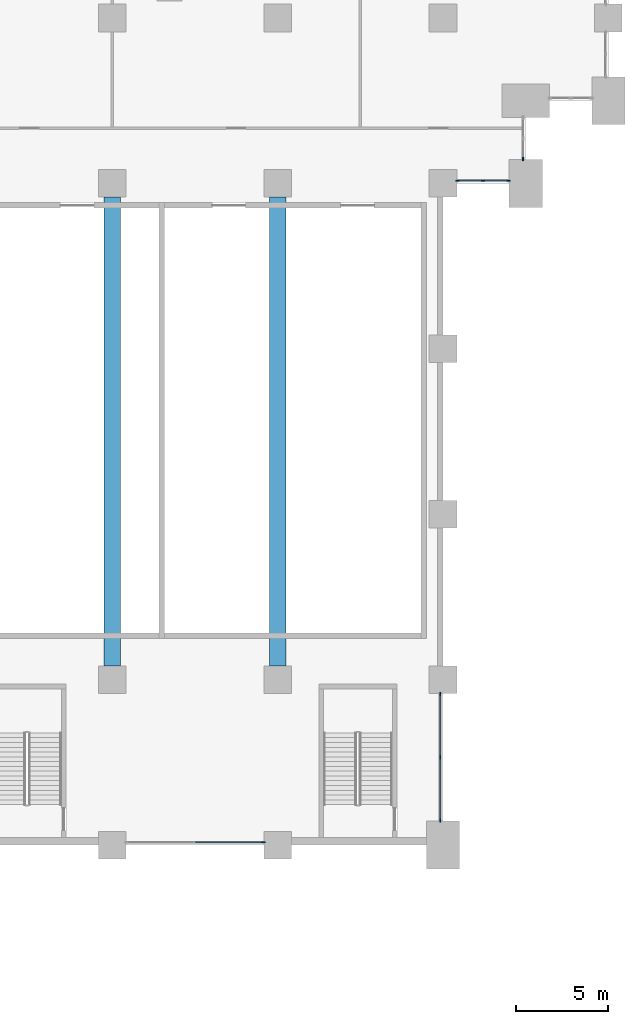
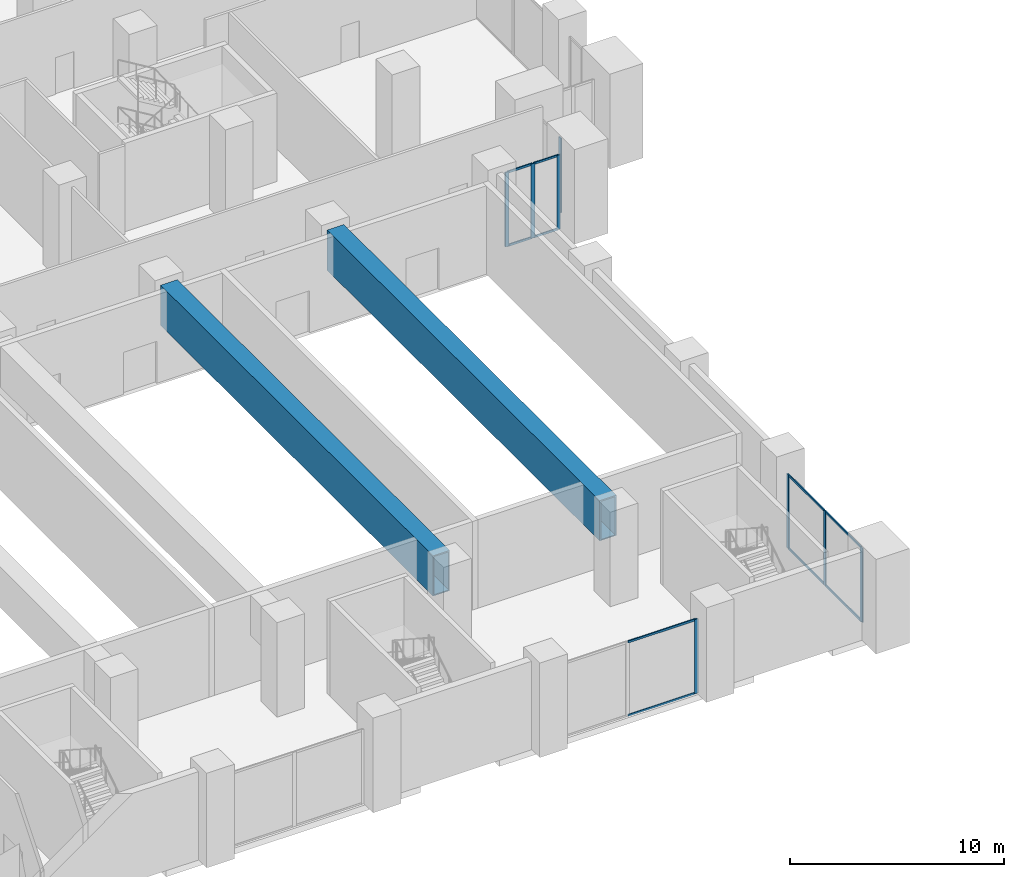
# One storey, part 6 of 43: 18 members, 2 beams, 4 elements without a shape of their own.
"""IFC4 building model written with IfcOpenShell, lengths in metres."""

from ifc_helpers import new_model, si_unit, direction, frame, origin, origin_2d, place, context, subcontext, project, spatial, rectangle, hollow_rectangle, extrude, material, material_profile, profile_set, type_object, element, aggregate, save


model = new_model("IFC4")

# Units and contexts
model_context = context("Model", 3, precision=1e-05, world=origin(), true_north=direction((0.0, 1.0)))
body_context = subcontext(model_context, "Body", "Model", "MODEL_VIEW")
ifc_project = project(units=[si_unit("LENGTHUNIT", "METRE"), si_unit("AREAUNIT", "SQUARE_METRE"), si_unit("VOLUMEUNIT", "CUBIC_METRE"), si_unit("PLANEANGLEUNIT", "RADIAN"), si_unit("MASSUNIT", "GRAM", prefix="KILO")], contexts=[model_context])

# Site, building, storey
site_placement = place(None, origin())
site = spatial("IfcSite", under=ifc_project, at=site_placement, CompositionType="ELEMENT")
building_placement = place(site_placement, origin())
building = spatial("IfcBuilding", under=site, at=building_placement, Name="Hunhe Ridgeline Campus", CompositionType="ELEMENT")
storey_placement = place(building_placement, frame((0.0, 0.0, 11.39990234375)))
storey = spatial("IfcBuildingStorey", under=building, at=storey_placement, Name="L02", CompositionType="ELEMENT", Elevation=11.39990234375)

# Curtain wall, members
ifc_material_1 = material(Name="Aluminium and glass", Category="aluminium")
curtain_wall_type = type_object("IfcCurtainWallType", Name="Podium curtain wall CW-2", PredefinedType="NOTDEFINED", material=ifc_material_1)
curtain_wall_1_placement = place(storey_placement, origin())
curtain_wall_1 = element("IfcCurtainWall", 1, at=curtain_wall_1_placement, inside=storey, type_object=curtain_wall_type, Name="L02 podium curtain wall 1", PredefinedType="NOTDEFINED")
ifc_material_2 = material(Name="Aluminium", Category="aluminium")
ifc_material_profile_1 = material_profile(ifc_material_2, rectangle(XDim=0.06005859375, YDim=0.199951171875, at=origin_2d()))
ifc_profile_set_1 = profile_set([ifc_material_profile_1], Name="Aluminium")
member_type_1 = type_object("IfcMemberType", Name="CW-2 mullion 60x200", PredefinedType="MULLION", material=ifc_profile_set_1)
member_1_placement = place(storey_placement, frame((90.780029296875, 54.14990234375, 0.0), z_axis=(0.0, 0.0, 1.0), x_axis=(0.0, 1.0, 0.0)))
member_1 = element("IfcMember", 2, at=member_1_placement, type_object=member_type_1, Name="CW2 mullion 1", PredefinedType="MULLION", context=body_context, shape_type="SweptSolid", body=[
    extrude(rectangle(XDim=0.06005859375, YDim=0.199951171875, at=origin_2d()), origin(), (0.0, 0.0, 1.0), 4.25),
])
member_2_placement = place(storey_placement, frame((92.175048828125, 54.14990234375, 0.0), z_axis=(0.0, 0.0, 1.0), x_axis=(0.0, 1.0, 0.0)))
member_2 = element("IfcMember", 3, at=member_2_placement, type_object=member_type_1, Name="CW2 mullion 2", PredefinedType="MULLION", context=body_context, shape_type="SweptSolid", body=[
    extrude(rectangle(XDim=0.06005859375, YDim=0.199951171875, at=origin_2d()), origin(), (0.0, 0.0, 1.0), 4.25),
])
member_3_placement = place(storey_placement, frame((93.570068359375, 54.14990234375, 0.0), z_axis=(0.0, 0.0, 1.0), x_axis=(0.0, 1.0, 0.0)))
member_3 = element("IfcMember", 4, at=member_3_placement, type_object=member_type_1, Name="CW2 mullion 3", PredefinedType="MULLION", context=body_context, shape_type="SweptSolid", body=[
    extrude(rectangle(XDim=0.06005859375, YDim=0.199951171875, at=origin_2d()), origin(), (0.0, 0.0, 1.0), 4.25),
])

# Curtain wall, member
curtain_wall_2_placement = place(storey_placement, origin())
curtain_wall_2 = element("IfcCurtainWall", 5, at=curtain_wall_2_placement, inside=storey, type_object=curtain_wall_type, Name="L02 podium curtain wall 2", PredefinedType="NOTDEFINED")
member_4_placement = place(storey_placement, frame((94.35009765625, 55.330078125, 0.0), z_axis=(0.0, 0.0, 1.0), x_axis=(-1.0, 0.0, 0.0)))
member_4 = element("IfcMember", 6, at=member_4_placement, type_object=member_type_1, Name="CW2 mullion 1", PredefinedType="MULLION", context=body_context, shape_type="SweptSolid", body=[
    extrude(rectangle(XDim=0.06005859375, YDim=0.199951171875, at=origin_2d()), origin(), (0.0, 0.0, 1.0), 4.25),
])
aggregate(curtain_wall_2, [member_4])

curtain_wall_3_placement = place(storey_placement, origin())
curtain_wall_3 = element("IfcCurtainWall", 7, at=curtain_wall_3_placement, inside=storey, type_object=curtain_wall_type, Name="L02 podium curtain wall 19", PredefinedType="NOTDEFINED")
member_5_placement = place(storey_placement, frame((80.219970703125, 18.14990234375, 0.0), z_axis=(0.0, 0.0, 1.0), x_axis=(0.0, 1.0, 0.0)))
member_5 = element("IfcMember", 8, at=member_5_placement, type_object=member_type_1, Name="CW2 mullion 3", PredefinedType="MULLION", context=body_context, shape_type="SweptSolid", body=[
    extrude(rectangle(XDim=0.06005859375, YDim=0.199951171875, at=origin_2d()), origin(), (0.0, 0.0, 1.0), 4.25),
])

# Curtain wall, members
curtain_wall_4_placement = place(storey_placement, origin())
curtain_wall_4 = element("IfcCurtainWall", 9, at=curtain_wall_4_placement, inside=storey, type_object=curtain_wall_type, Name="L02 podium curtain wall 21", PredefinedType="NOTDEFINED")
member_6_placement = place(storey_placement, frame((89.85009765625, 19.330078125, 0.0), z_axis=(0.0, 0.0, 1.0), x_axis=(-1.0, 0.0, 0.0)))
member_6 = element("IfcMember", 10, at=member_6_placement, type_object=member_type_1, Name="CW2 mullion 1", PredefinedType="MULLION", context=body_context, shape_type="SweptSolid", body=[
    extrude(rectangle(XDim=0.06005859375, YDim=0.199951171875, at=origin_2d()), origin(), (0.0, 0.0, 1.0), 4.25),
])
member_7_placement = place(storey_placement, frame((89.85009765625, 22.77490234375, 0.0), z_axis=(0.0, 0.0, 1.0), x_axis=(-1.0, 0.0, 0.0)))
member_7 = element("IfcMember", 11, at=member_7_placement, type_object=member_type_1, Name="CW2 mullion 2", PredefinedType="MULLION", context=body_context, shape_type="SweptSolid", body=[
    extrude(rectangle(XDim=0.06005859375, YDim=0.199951171875, at=origin_2d()), origin(), (0.0, 0.0, 1.0), 4.25),
])
member_8_placement = place(storey_placement, frame((89.85009765625, 26.219970703125, 0.0), z_axis=(0.0, 0.0, 1.0), x_axis=(-1.0, 0.0, 0.0)))
member_8 = element("IfcMember", 12, at=member_8_placement, type_object=member_type_1, Name="CW2 mullion 3", PredefinedType="MULLION", context=body_context, shape_type="SweptSolid", body=[
    extrude(rectangle(XDim=0.06005859375, YDim=0.199951171875, at=origin_2d()), origin(), (0.0, 0.0, 1.0), 4.25),
])

# Member
ifc_material_profile_2 = material_profile(ifc_material_2, rectangle(XDim=0.06005859375, YDim=0.1201171875, at=origin_2d()))
ifc_profile_set_2 = profile_set([ifc_material_profile_2], Name="Aluminium")
member_type_2 = type_object("IfcMemberType", Name="CW-2 transom 60x120", PredefinedType="USERDEFINED", material=ifc_profile_set_2)
member_9_placement = place(storey_placement, frame((90.81005859375, 54.14990234375, 0.030029296875), z_axis=(1.0, 0.0, 0.0), x_axis=(0.0, 1.0, 0.0)))
member_9 = element("IfcMember", 13, at=member_9_placement, type_object=member_type_2, Name="CW2 transom 1.1", ObjectType="TRANSOM", PredefinedType="USERDEFINED", context=body_context, shape_type="SweptSolid", body=[
    extrude(rectangle(XDim=0.06005859375, YDim=0.1201171875, at=origin_2d()), origin(), (0.0, 0.0, 1.0), 1.3349609375),
])

member_10_placement = place(storey_placement, frame((90.81005859375, 54.14990234375, 4.22021484375), z_axis=(1.0, 0.0, 0.0), x_axis=(0.0, 1.0, 0.0)))
member_10 = element("IfcMember", 14, at=member_10_placement, type_object=member_type_2, Name="CW2 transom 1.2", ObjectType="TRANSOM", PredefinedType="USERDEFINED", context=body_context, shape_type="SweptSolid", body=[
    extrude(rectangle(XDim=0.06005859375, YDim=0.1201171875, at=origin_2d()), origin(), (0.0, 0.0, 1.0), 1.3349609375),
])

member_11_placement = place(storey_placement, frame((92.205078125, 54.14990234375, 0.030029296875), z_axis=(1.0, 0.0, 0.0), x_axis=(0.0, 1.0, 0.0)))
member_11 = element("IfcMember", 15, at=member_11_placement, type_object=member_type_2, Name="CW2 transom 2.1", ObjectType="TRANSOM", PredefinedType="USERDEFINED", context=body_context, shape_type="SweptSolid", body=[
    extrude(rectangle(XDim=0.06005859375, YDim=0.1201171875, at=origin_2d()), origin(), (0.0, 0.0, 1.0), 1.3349609375),
])

member_12_placement = place(storey_placement, frame((92.205078125, 54.14990234375, 4.22021484375), z_axis=(1.0, 0.0, 0.0), x_axis=(0.0, 1.0, 0.0)))
member_12 = element("IfcMember", 16, at=member_12_placement, type_object=member_type_2, Name="CW2 transom 2.2", ObjectType="TRANSOM", PredefinedType="USERDEFINED", context=body_context, shape_type="SweptSolid", body=[
    extrude(rectangle(XDim=0.06005859375, YDim=0.1201171875, at=origin_2d()), origin(), (0.0, 0.0, 1.0), 1.3349609375),
])

aggregate(curtain_wall_1, [member_1, member_2, member_3, member_9, member_10, member_11, member_12])

member_13_placement = place(storey_placement, frame((76.530029296875, 18.14990234375, 0.030029296875), z_axis=(1.0, 0.0, 0.0), x_axis=(0.0, 1.0, 0.0)))
member_13 = element("IfcMember", 17, at=member_13_placement, type_object=member_type_2, Name="CW2 transom 2.1", ObjectType="TRANSOM", PredefinedType="USERDEFINED", context=body_context, shape_type="SweptSolid", body=[
    extrude(rectangle(XDim=0.06005859375, YDim=0.1201171875, at=origin_2d()), origin(), (0.0, 0.0, 1.0), 3.659912109375),
])

member_14_placement = place(storey_placement, frame((76.530029296875, 18.14990234375, 4.22021484375), z_axis=(1.0, 0.0, 0.0), x_axis=(0.0, 1.0, 0.0)))
member_14 = element("IfcMember", 18, at=member_14_placement, type_object=member_type_2, Name="CW2 transom 2.2", ObjectType="TRANSOM", PredefinedType="USERDEFINED", context=body_context, shape_type="SweptSolid", body=[
    extrude(rectangle(XDim=0.06005859375, YDim=0.1201171875, at=origin_2d()), origin(), (0.0, 0.0, 1.0), 3.659912109375),
])

aggregate(curtain_wall_3, [member_5, member_13, member_14])

member_15_placement = place(storey_placement, frame((89.85009765625, 19.360107421875, 0.030029296875), z_axis=(0.0, 1.0, 0.0), x_axis=(-1.0, 0.0, 0.0)))
member_15 = element("IfcMember", 19, at=member_15_placement, type_object=member_type_2, Name="CW2 transom 1.1", ObjectType="TRANSOM", PredefinedType="USERDEFINED", context=body_context, shape_type="SweptSolid", body=[
    extrude(rectangle(XDim=0.06005859375, YDim=0.1201171875, at=origin_2d()), origin(), (0.0, 0.0, 1.0), 3.385009765625),
])

member_16_placement = place(storey_placement, frame((89.85009765625, 19.360107421875, 4.22021484375), z_axis=(0.0, 1.0, 0.0), x_axis=(-1.0, 0.0, 0.0)))
member_16 = element("IfcMember", 20, at=member_16_placement, type_object=member_type_2, Name="CW2 transom 1.2", ObjectType="TRANSOM", PredefinedType="USERDEFINED", context=body_context, shape_type="SweptSolid", body=[
    extrude(rectangle(XDim=0.06005859375, YDim=0.1201171875, at=origin_2d()), origin(), (0.0, 0.0, 1.0), 3.385009765625),
])

member_17_placement = place(storey_placement, frame((89.85009765625, 22.804931640625, 0.030029296875), z_axis=(0.0, 1.0, 0.0), x_axis=(-1.0, 0.0, 0.0)))
member_17 = element("IfcMember", 21, at=member_17_placement, type_object=member_type_2, Name="CW2 transom 2.1", ObjectType="TRANSOM", PredefinedType="USERDEFINED", context=body_context, shape_type="SweptSolid", body=[
    extrude(rectangle(XDim=0.06005859375, YDim=0.1201171875, at=origin_2d()), origin(), (0.0, 0.0, 1.0), 3.385009765625),
])

member_18_placement = place(storey_placement, frame((89.85009765625, 22.804931640625, 4.22021484375), z_axis=(0.0, 1.0, 0.0), x_axis=(-1.0, 0.0, 0.0)))
member_18 = element("IfcMember", 22, at=member_18_placement, type_object=member_type_2, Name="CW2 transom 2.2", ObjectType="TRANSOM", PredefinedType="USERDEFINED", context=body_context, shape_type="SweptSolid", body=[
    extrude(rectangle(XDim=0.06005859375, YDim=0.1201171875, at=origin_2d()), origin(), (0.0, 0.0, 1.0), 3.385009765625),
])

aggregate(curtain_wall_4, [member_6, member_7, member_8, member_15, member_16, member_17, member_18])

# Beams
ifc_material_3 = material(Name="Steel Q420", Category="steel")
ifc_material_profile_3 = material_profile(ifc_material_3, hollow_rectangle(XDim=0.89990234375, YDim=2.300048828125, WallThickness=0.06005859375, at=origin_2d()))
ifc_profile_set_3 = profile_set([ifc_material_profile_3], Name="Steel Q420")
beam_type = type_object("IfcBeamType", Name="Transfer girder Box 2300x900x60 Steel Q420", PredefinedType="BEAM", material=ifc_profile_set_3)
for number, where, z_axis, x_axis, name in (
    (23, (72.0, 27.75, 3.900146484375), (0.0, 1.0, 0.0), (-1.0, 0.0, 0.0), "Transfer girder TG-72"),
    (24, (81.0, 27.75, 3.900146484375), (0.0, 1.0, 0.0), (-1.0, 0.0, 0.0), "Transfer girder TG-81"),
):
    element("IfcBeam", number, at=place(storey_placement, frame(where, z_axis=z_axis, x_axis=x_axis)), inside=storey, type_object=beam_type, Name=name, PredefinedType="BEAM", context=body_context, shape_type="SweptSolid", body=[
        extrude(hollow_rectangle(XDim=0.89990234375, YDim=2.300048828125, WallThickness=0.06005859375, at=origin_2d()), origin(), (0.0, 0.0, 1.0), 25.5),
    ])

save(model, "model.ifc")
